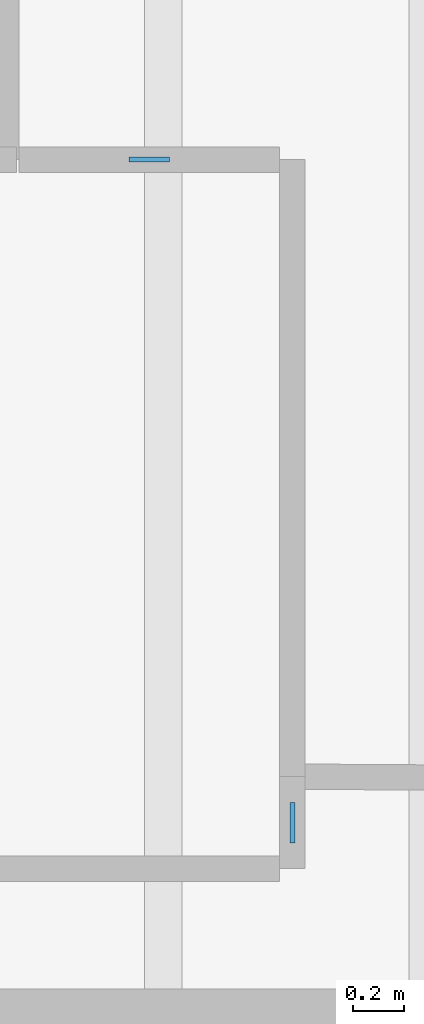
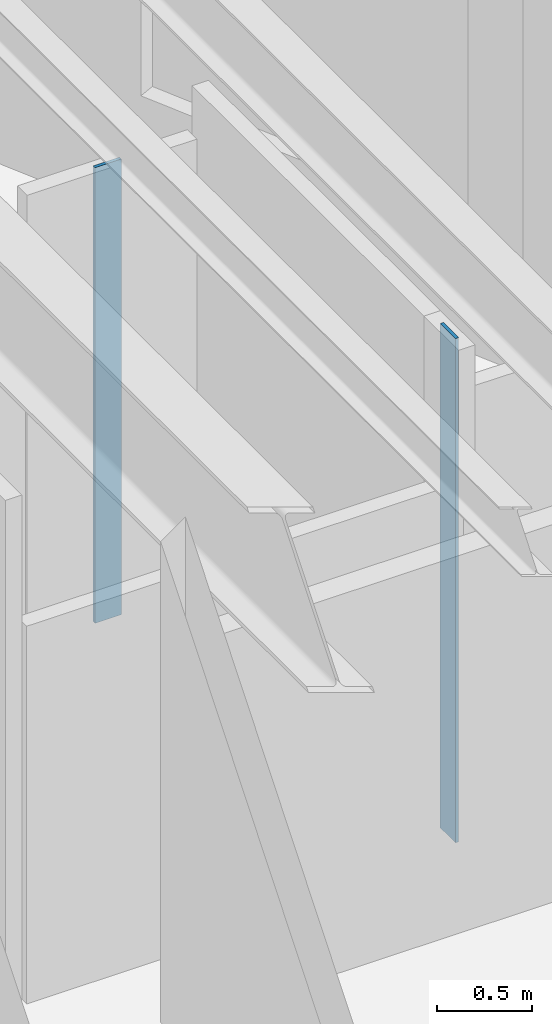
# One storey, part 2 of 10: 2 plates.
"""IFC4 building model written with IfcOpenShell, lengths in metres."""

from ifc_helpers import new_model, si_unit, direction, frame, origin, origin_2d, place, context, subcontext, project, spatial, rectangle, extrude, material, layer, layer_set, type_object, element, save


model = new_model("IFC4")

# Units and contexts
model_context = context("Model", 3, precision=1e-05, world=origin(), true_north=direction((0.0, 1.0)))
body_context = subcontext(model_context, "Body", "Model", "MODEL_VIEW")
ifc_project = project(units=[si_unit("LENGTHUNIT", "METRE"), si_unit("AREAUNIT", "SQUARE_METRE"), si_unit("VOLUMEUNIT", "CUBIC_METRE"), si_unit("PLANEANGLEUNIT", "RADIAN"), si_unit("MASSUNIT", "GRAM", prefix="KILO")], contexts=[model_context])

# Site, building, storey
site_placement = place(None, origin())
site = spatial("IfcSite", under=ifc_project, at=site_placement, CompositionType="ELEMENT")
building_placement = place(site_placement, origin())
building = spatial("IfcBuilding", under=site, at=building_placement, Name="Miruveldt Soraemaru", CompositionType="ELEMENT")
storey_placement = place(building_placement, frame((0.0, 0.0, 121.39990234375)))
storey = spatial("IfcBuildingStorey", under=building, at=storey_placement, Name="L33", CompositionType="ELEMENT", Elevation=121.39990234375)

# Plates
ifc_material = material(Name="Anodised aluminium EN AW-6063 T6", Category="aluminium")
ifc_layer = layer(ifc_material, 0.02001953125, Name="Anodised aluminium EN AW-6063 T6", Category="aluminium")
ifc_layer_set = layer_set([ifc_layer], Name="Anodised aluminium EN AW-6063 T6")
plate_type = type_object("IfcPlateType", Name="PLT-PART-TRIM", PredefinedType="SHEET", material=ifc_layer_set)
plate_1_placement = place(storey_placement, frame((57.614990234375, 47.530029296875, 0.0), z_axis=(0.0, 0.0, 1.0), x_axis=(-1.0, 0.0, 0.0)))
element("IfcPlate", 1, at=plate_1_placement, inside=storey, type_object=plate_type, Name="L33 Partition Step Corner Trim Plate 051", PredefinedType="SHEET", context=body_context, shape_type="SweptSolid", body=[
    extrude(rectangle(XDim=0.159912109375, YDim=0.02001953125, at=origin_2d()), origin(), (0.0, 0.0, 1.0), 2.923095703125),
])
plate_2_placement = place(storey_placement, frame((58.179931640625, 44.91162109375, 0.0), z_axis=(0.0, 0.0, 1.0), x_axis=(0.0, 1.0, 0.0)))
element("IfcPlate", 2, at=plate_2_placement, inside=storey, type_object=plate_type, Name="L33 Partition Step Corner Trim Plate 043", PredefinedType="SHEET", context=body_context, shape_type="SweptSolid", body=[
    extrude(rectangle(XDim=0.159912109375, YDim=0.02001953125, at=origin_2d()), origin(), (0.0, 0.0, 1.0), 3.235107421875),
])

save(model, "model.ifc")
